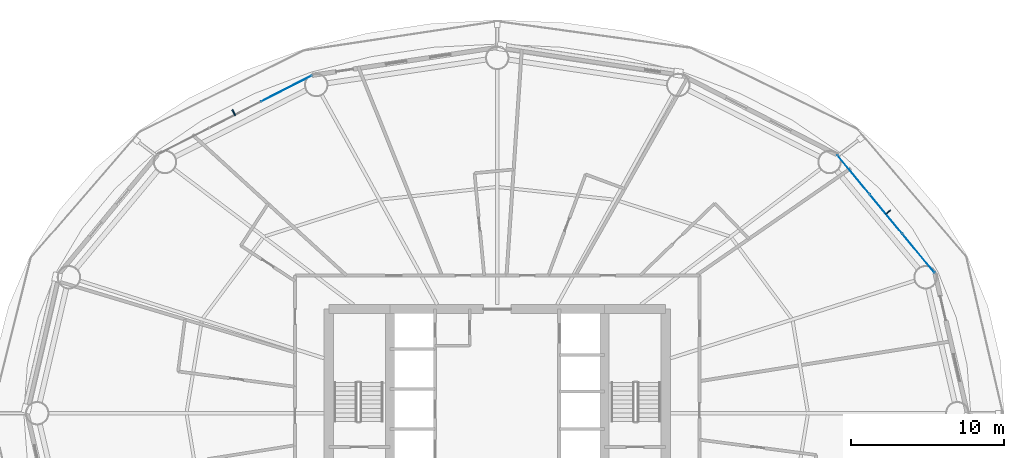
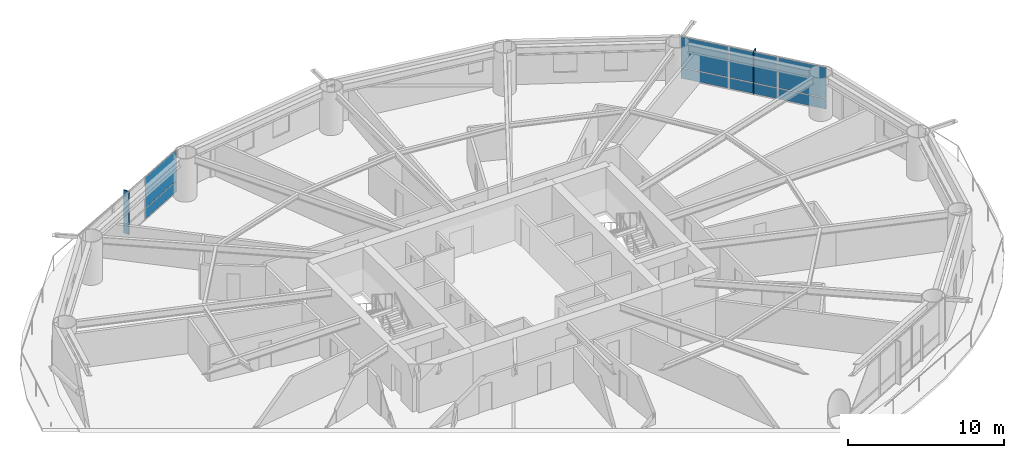
# One storey, part 20 of 28: 10 plates, 2 elements without a shape of their own.
"""IFC4 building model written with IfcOpenShell, lengths in metres."""

from ifc_helpers import new_model, si_unit, direction, frame, origin, origin_2d, place, context, subcontext, project, spatial, rectangle, extrude, material, layer, layer_set, type_object, element, aggregate, save


model = new_model("IFC4")

# Units and contexts
model_context = context("Model", 3, precision=1e-05, world=origin(), true_north=direction((0.0, 1.0)))
body_context = subcontext(model_context, "Body", "Model", "MODEL_VIEW")
ifc_project = project(units=[si_unit("LENGTHUNIT", "METRE"), si_unit("AREAUNIT", "SQUARE_METRE"), si_unit("VOLUMEUNIT", "CUBIC_METRE"), si_unit("PLANEANGLEUNIT", "RADIAN"), si_unit("MASSUNIT", "GRAM", prefix="KILO")], contexts=[model_context])

# Site, building, storey
site_placement = place(None, origin())
site = spatial("IfcSite", under=ifc_project, at=site_placement, CompositionType="ELEMENT")
building_placement = place(site_placement, origin())
building = spatial("IfcBuilding", under=site, at=building_placement, Name="Sarneth Arch Tower", CompositionType="ELEMENT")
storey_placement = place(building_placement, frame((0.0, 0.0, 67.800048828125)))
storey = spatial("IfcBuildingStorey", under=building, at=storey_placement, Name="L16", CompositionType="ELEMENT", Elevation=67.800048828125)

# Curtain wall, plates
ifc_material_1 = material(Name="Anodised aluminium Type AA25 and solar-control low-e laminated IGU", Category="aluminium")
ifc_layer_1 = layer(ifc_material_1, 0.159912109375)
ifc_layer_set_1 = layer_set([ifc_layer_1], Name="Anodised aluminium Type AA25 and solar-control low-e laminated IGU")
curtain_wall_type = type_object("IfcCurtainWallType", Name="CW-HOTEL-LOW", PredefinedType="NOTDEFINED", material=ifc_layer_set_1)
curtain_wall_1_placement = place(storey_placement, origin())
curtain_wall_1 = element("IfcCurtainWall", 1, at=curtain_wall_1_placement, inside=storey, type_object=curtain_wall_type, Name="L16 Unitised curtain wall facet 02", PredefinedType="NOTDEFINED")
ifc_material_2 = material(Name="Solar-control low-e laminated IGU", Category="glass")
ifc_layer_2 = layer(ifc_material_2, 0.028076171875)
ifc_layer_set_2 = layer_set([ifc_layer_2], Name="Solar-control low-e laminated IGU")
plate_type_1 = type_object("IfcPlateType", Name="CW-PANEL", PredefinedType="CURTAIN_PANEL", material=ifc_layer_set_2)
plate_1_placement = place(storey_placement, frame((75.503662109375, 52.441162109375, 0.059814453125), z_axis=(0.0, 0.0, 1.0), x_axis=(-0.637291340827, 0.770622960278, 0.0)))
plate_1 = element("IfcPlate", 2, at=plate_1_placement, type_object=plate_type_1, Name="Curtain wall glazed vision pane CW-L16-F02/P00-00", PredefinedType="CURTAIN_PANEL", context=body_context, shape_type="SweptSolid", body=[
    extrude(rectangle(XDim=3.260986328125, YDim=0.028076171875, at=origin_2d()), origin(), (0.0, 0.0, 1.0), 0.81005859375),
])
plate_2_placement = place(storey_placement, frame((75.503662109375, 52.441162109375, 0.93017578125), z_axis=(0.0, 0.0, 1.0), x_axis=(-0.637291340827, 0.770622960278, 0.0)))
plate_2 = element("IfcPlate", 3, at=plate_2_placement, type_object=plate_type_1, Name="Curtain wall glazed vision pane CW-L16-F02/P00-01", PredefinedType="CURTAIN_PANEL", context=body_context, shape_type="SweptSolid", body=[
    extrude(rectangle(XDim=3.260986328125, YDim=0.028076171875, at=origin_2d()), origin(), (0.0, 0.0, 1.0), 2.389892578125),
])
plate_3_placement = place(storey_placement, frame((73.37744140625, 55.01220703125, 0.059814453125), z_axis=(0.0, 0.0, 1.0), x_axis=(-0.637291340827, 0.770622960278, 0.0)))
plate_3 = element("IfcPlate", 4, at=plate_3_placement, type_object=plate_type_1, Name="Curtain wall glazed vision pane CW-L16-F02/P01-00", PredefinedType="CURTAIN_PANEL", context=body_context, shape_type="SweptSolid", body=[
    extrude(rectangle(XDim=3.291015625, YDim=0.028076171875, at=origin_2d()), origin(), (0.0, 0.0, 1.0), 0.81005859375),
])
plate_4_placement = place(storey_placement, frame((73.37744140625, 55.01220703125, 0.93017578125), z_axis=(0.0, 0.0, 1.0), x_axis=(-0.637291340827, 0.770622960278, 0.0)))
plate_4 = element("IfcPlate", 5, at=plate_4_placement, type_object=plate_type_1, Name="Curtain wall glazed vision pane CW-L16-F02/P01-01", PredefinedType="CURTAIN_PANEL", context=body_context, shape_type="SweptSolid", body=[
    extrude(rectangle(XDim=3.291015625, YDim=0.028076171875, at=origin_2d()), origin(), (0.0, 0.0, 1.0), 2.389892578125),
])
plate_5_placement = place(storey_placement, frame((71.25146484375, 57.5830078125, 0.059814453125), z_axis=(0.0, 0.0, 1.0), x_axis=(-0.637291340827, 0.770622960278, 0.0)))
plate_5 = element("IfcPlate", 6, at=plate_5_placement, type_object=plate_type_1, Name="Curtain wall glazed vision pane CW-L16-F02/P02-00", PredefinedType="CURTAIN_PANEL", context=body_context, shape_type="SweptSolid", body=[
    extrude(rectangle(XDim=3.260986328125, YDim=0.028076171875, at=origin_2d()), origin(), (0.0, 0.0, 1.0), 0.81005859375),
])
plate_6_placement = place(storey_placement, frame((71.25146484375, 57.5830078125, 0.93017578125), z_axis=(0.0, 0.0, 1.0), x_axis=(-0.637291340827, 0.770622960278, 0.0)))
plate_6 = element("IfcPlate", 7, at=plate_6_placement, type_object=plate_type_1, Name="Curtain wall glazed vision pane CW-L16-F02/P02-01", PredefinedType="CURTAIN_PANEL", context=body_context, shape_type="SweptSolid", body=[
    extrude(rectangle(XDim=3.260986328125, YDim=0.028076171875, at=origin_2d()), origin(), (0.0, 0.0, 1.0), 2.389892578125),
])
aggregate(curtain_wall_1, [plate_1, plate_2, plate_3, plate_4, plate_5, plate_6])

curtain_wall_2_placement = place(storey_placement, origin())
curtain_wall_2 = element("IfcCurtainWall", 8, at=curtain_wall_2_placement, inside=storey, type_object=curtain_wall_type, Name="L16 Unitised curtain wall facet 06", PredefinedType="NOTDEFINED")
plate_7_placement = place(storey_placement, frame((34.22607421875, 63.192626953125, 0.059814453125), z_axis=(0.0, 0.0, 1.0), x_axis=(-0.889854100456, -0.456245197127, 0.0)))
plate_7 = element("IfcPlate", 9, at=plate_7_placement, type_object=plate_type_1, Name="Curtain wall glazed vision pane CW-L16-F06/P00-00", PredefinedType="CURTAIN_PANEL", context=body_context, shape_type="SweptSolid", body=[
    extrude(rectangle(XDim=3.69189453125, YDim=0.028076171875, at=origin_2d()), origin(), (0.0, 0.0, 1.0), 0.81005859375),
])
plate_8_placement = place(storey_placement, frame((34.22607421875, 63.192626953125, 0.93017578125), z_axis=(0.0, 0.0, 1.0), x_axis=(-0.889854100456, -0.456245197127, 0.0)))
plate_8 = element("IfcPlate", 10, at=plate_8_placement, type_object=plate_type_1, Name="Curtain wall glazed vision pane CW-L16-F06/P00-01", PredefinedType="CURTAIN_PANEL", context=body_context, shape_type="SweptSolid", body=[
    extrude(rectangle(XDim=3.69189453125, YDim=0.028076171875, at=origin_2d()), origin(), (0.0, 0.0, 1.0), 2.389892578125),
])
aggregate(curtain_wall_2, [plate_7, plate_8])

# Plates
ifc_material_3 = material(Name="Extruded glazed terracotta baguette fin on Aluminium 6063-T6 carrier", Category="masonry")
ifc_layer_3 = layer(ifc_material_3, 0.080078125)
ifc_layer_set_3 = layer_set([ifc_layer_3], Name="Extruded glazed terracotta baguette fin on Aluminium 6063-T6 carrier")
plate_type_2 = type_object("IfcPlateType", Name="SHADE-TERRA-FIN", PredefinedType="SHEET", material=ifc_layer_set_3)
for number, where, z_axis, x_axis, name in (
    (11, (73.508544921875, 55.120361328125, 0.009765625), (0.0, 0.0, 1.0), (0.770624482513, 0.637289500111, 0.0), "L16 Terracotta vertical shading fin 02"),
    (12, (30.79638671875, 61.625244140625, 0.009765625), (0.0, 0.0, 1.0), (-0.4563215909, 0.889814927768, 0.0), "L16 Terracotta vertical shading fin 06"),
):
    element("IfcPlate", number, at=place(storey_placement, frame(where, z_axis=z_axis, x_axis=x_axis)), inside=storey, type_object=plate_type_2, Name=name, PredefinedType="SHEET", context=body_context, shape_type="SweptSolid", body=[
        extrude(rectangle(XDim=0.419921875, YDim=0.080078125, at=origin_2d()), origin(), (0.0, 0.0, 1.0), 3.360107421875),
    ])

save(model, "model.ifc")
